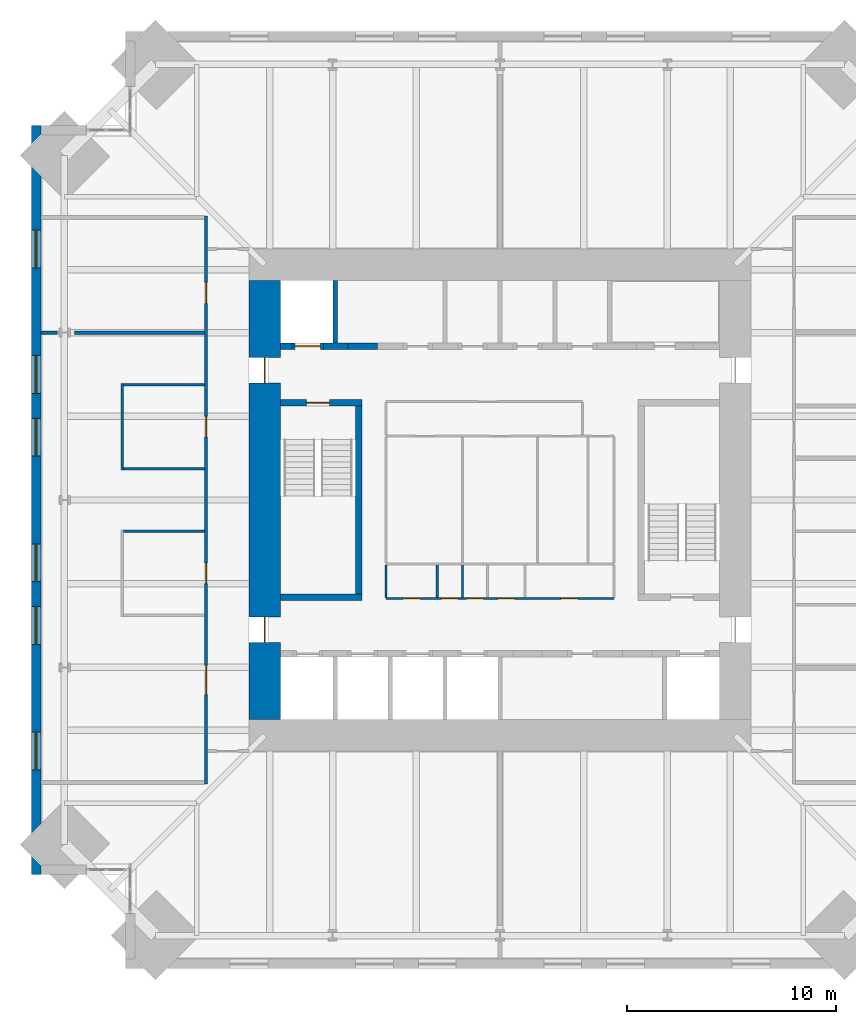
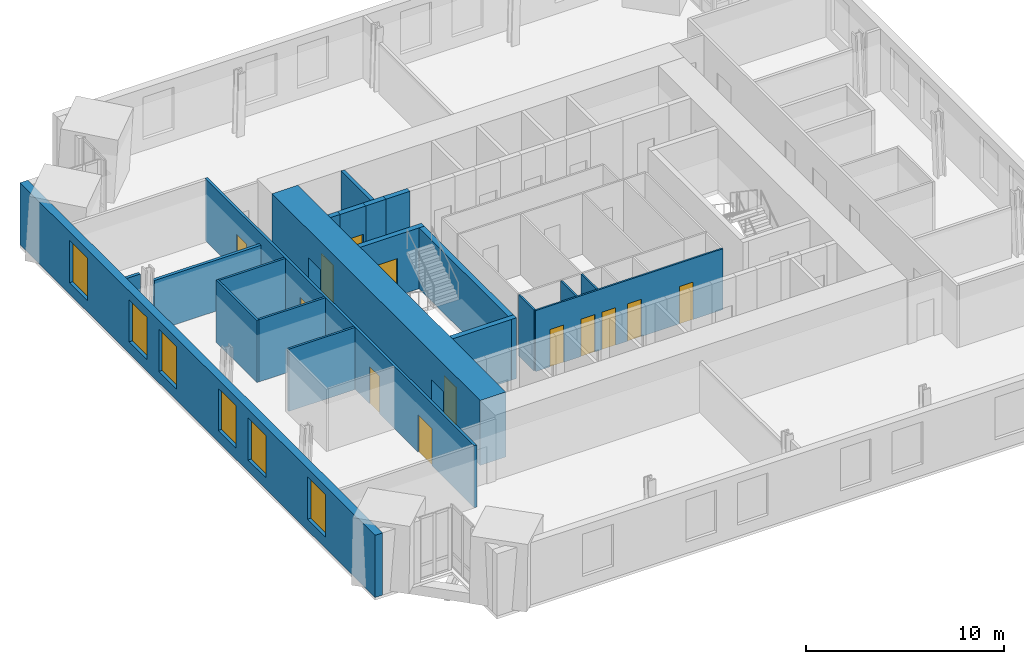
# One storey, part 14 of 18: 21 walls, 13 doors, 6 windows, 19 openings.
"""IFC4 building model written with IfcOpenShell, lengths in metres."""

from ifc_helpers import new_model, si_unit, direction, frame, frame_2d, origin, place, context, subcontext, project, spatial, rectangle, extrude, material, layer, layer_set, type_object, element, fill, save


model = new_model("IFC4")

# Units and contexts
model_context = context("Model", 3, precision=1e-05, world=origin(), true_north=direction((0.0, 1.0)))
body_context = subcontext(model_context, "Body", "Model", "MODEL_VIEW")
ifc_project = project(units=[si_unit("LENGTHUNIT", "METRE"), si_unit("AREAUNIT", "SQUARE_METRE"), si_unit("VOLUMEUNIT", "CUBIC_METRE"), si_unit("PLANEANGLEUNIT", "RADIAN"), si_unit("MASSUNIT", "GRAM", prefix="KILO")], contexts=[model_context])

# Site, building, storey
site_placement = place(None, origin())
site = spatial("IfcSite", under=ifc_project, at=site_placement, CompositionType="ELEMENT")
building_placement = place(site_placement, origin())
building = spatial("IfcBuilding", under=site, at=building_placement, Name="Peilmerk Tower", CompositionType="ELEMENT")
storey_placement = place(building_placement, frame((0.0, 0.0, 249.800048828125)))
storey = spatial("IfcBuildingStorey", under=building, at=storey_placement, Name="L55", CompositionType="ELEMENT", Elevation=249.800048828125)

# Wall, openings, windows
ifc_material_1 = material(Name="Precast concrete C45/55, board-marked finish", Category="concrete")
ifc_layer_1 = layer(ifc_material_1, 0.449951171875)
ifc_layer_set_1 = layer_set([ifc_layer_1], Name="Precast concrete C45/55, board-marked finish")
wall_type_1 = type_object("IfcWallType", Name="EW1 450 precast concrete facade wall, board-marked", PredefinedType="SOLIDWALL", material=ifc_layer_set_1)
wall_1_placement = place(storey_placement, frame((-22.175048828125, 17.89990234375, 0.0), z_axis=(0.0, 0.0, 1.0), x_axis=(0.0, -1.0, 0.0)))
wall_1 = element("IfcWall", 1, at=wall_1_placement, inside=storey, type_object=wall_type_1, Name="Facade wall W L55", PredefinedType="SOLIDWALL", context=body_context, shape_type="SweptSolid", body=[
    extrude(rectangle(XDim=35.7998046875, YDim=0.449951171875, at=frame_2d((17.89990234375, 0.0))), origin(), (0.0, 0.0, 1.0), 3.829833984375),
])
opening_1_placement = place(wall_1_placement, frame((5.0, 0.0, 0.699951171875)))
opening_1 = element("IfcOpeningElement", 2, at=opening_1_placement, cuts=wall_1, Name="Opening W1", PredefinedType="OPENING", context=body_context, shape_type="SweptSolid", body=[
    extrude(rectangle(XDim=1.800048828125, YDim=2.60009765625, at=frame_2d((0.89990234375, 1.300048828125))), frame((0.0, 0.23486328125, 0.0), z_axis=(0.0, -1.0, 0.0), x_axis=(1.0, 0.0, 0.0)), (0.0, 0.0, 1.0), 0.469970703125),
])
opening_2_placement = place(wall_1_placement, frame((11.0, 0.0, 0.699951171875)))
opening_2 = element("IfcOpeningElement", 3, at=opening_2_placement, cuts=wall_1, Name="Opening W1", PredefinedType="OPENING", context=body_context, shape_type="SweptSolid", body=[
    extrude(rectangle(XDim=1.800048828125, YDim=2.60009765625, at=frame_2d((0.89990234375, 1.300048828125))), frame((0.0, 0.23486328125, 0.0), z_axis=(0.0, -1.0, 0.0), x_axis=(1.0, 0.0, 0.0)), (0.0, 0.0, 1.0), 0.469970703125),
])
opening_3_placement = place(wall_1_placement, frame((14.0, 0.0, 0.699951171875)))
opening_3 = element("IfcOpeningElement", 4, at=opening_3_placement, cuts=wall_1, Name="Opening W1", PredefinedType="OPENING", context=body_context, shape_type="SweptSolid", body=[
    extrude(rectangle(XDim=1.800048828125, YDim=2.60009765625, at=frame_2d((0.89990234375, 1.300048828125))), frame((0.0, 0.23486328125, 0.0), z_axis=(0.0, -1.0, 0.0), x_axis=(1.0, 0.0, 0.0)), (0.0, 0.0, 1.0), 0.469970703125),
])
opening_4_placement = place(wall_1_placement, frame((20.0, 0.0, 0.699951171875)))
opening_4 = element("IfcOpeningElement", 5, at=opening_4_placement, cuts=wall_1, Name="Opening W1", PredefinedType="OPENING", context=body_context, shape_type="SweptSolid", body=[
    extrude(rectangle(XDim=1.800048828125, YDim=2.60009765625, at=frame_2d((0.89990234375, 1.300048828125))), frame((0.0, 0.23486328125, 0.0), z_axis=(0.0, -1.0, 0.0), x_axis=(1.0, 0.0, 0.0)), (0.0, 0.0, 1.0), 0.469970703125),
])
opening_5_placement = place(wall_1_placement, frame((23.0, 0.0, 0.699951171875)))
opening_5 = element("IfcOpeningElement", 6, at=opening_5_placement, cuts=wall_1, Name="Opening W1", PredefinedType="OPENING", context=body_context, shape_type="SweptSolid", body=[
    extrude(rectangle(XDim=1.800048828125, YDim=2.60009765625, at=frame_2d((0.89990234375, 1.300048828125))), frame((0.0, 0.23486328125, 0.0), z_axis=(0.0, -1.0, 0.0), x_axis=(1.0, 0.0, 0.0)), (0.0, 0.0, 1.0), 0.469970703125),
])
opening_6_placement = place(wall_1_placement, frame((29.0, 0.0, 0.699951171875)))
opening_6 = element("IfcOpeningElement", 7, at=opening_6_placement, cuts=wall_1, Name="Opening W1", PredefinedType="OPENING", context=body_context, shape_type="SweptSolid", body=[
    extrude(rectangle(XDim=1.800048828125, YDim=2.60009765625, at=frame_2d((0.89990234375, 1.300048828125))), frame((0.0, 0.23486328125, 0.0), z_axis=(0.0, -1.0, 0.0), x_axis=(1.0, 0.0, 0.0)), (0.0, 0.0, 1.0), 0.469970703125),
])
ifc_material_2 = material(Name="Aluminium frame, clear double glazing", Category="aluminium")
window_type = type_object("IfcWindowType", Name="W1 1800x2600 office window", PartitioningType="SINGLE_PANEL", PredefinedType="WINDOW", material=ifc_material_2)
window_1_placement = place(opening_1_placement, origin())
window_1 = element("IfcWindow", 8, at=window_1_placement, inside=storey, type_object=window_type, Name="Window W1 L55", OverallHeight=2.60009765625, OverallWidth=1.800048828125, PartitioningType="SINGLE_PANEL", PredefinedType="WINDOW", context=body_context, shape_type="SweptSolid", body=[
    extrude(rectangle(XDim=1.800048828125, YDim=2.60009765625, at=frame_2d((0.89990234375, 1.300048828125))), frame((0.0, 0.030029296875, 0.0), z_axis=(0.0, -1.0, 0.0), x_axis=(1.0, 0.0, 0.0)), (0.0, 0.0, 1.0), 0.06005859375),
])
fill(opening_1, window_1)
window_2_placement = place(opening_2_placement, origin())
window_2 = element("IfcWindow", 9, at=window_2_placement, inside=storey, type_object=window_type, Name="Window W1 L55", OverallHeight=2.60009765625, OverallWidth=1.800048828125, PartitioningType="SINGLE_PANEL", PredefinedType="WINDOW", context=body_context, shape_type="SweptSolid", body=[
    extrude(rectangle(XDim=1.800048828125, YDim=2.60009765625, at=frame_2d((0.89990234375, 1.300048828125))), frame((0.0, 0.030029296875, 0.0), z_axis=(0.0, -1.0, 0.0), x_axis=(1.0, 0.0, 0.0)), (0.0, 0.0, 1.0), 0.06005859375),
])
fill(opening_2, window_2)
window_3_placement = place(opening_3_placement, origin())
window_3 = element("IfcWindow", 10, at=window_3_placement, inside=storey, type_object=window_type, Name="Window W1 L55", OverallHeight=2.60009765625, OverallWidth=1.800048828125, PartitioningType="SINGLE_PANEL", PredefinedType="WINDOW", context=body_context, shape_type="SweptSolid", body=[
    extrude(rectangle(XDim=1.800048828125, YDim=2.60009765625, at=frame_2d((0.89990234375, 1.300048828125))), frame((0.0, 0.030029296875, 0.0), z_axis=(0.0, -1.0, 0.0), x_axis=(1.0, 0.0, 0.0)), (0.0, 0.0, 1.0), 0.06005859375),
])
fill(opening_3, window_3)
window_4_placement = place(opening_4_placement, origin())
window_4 = element("IfcWindow", 11, at=window_4_placement, inside=storey, type_object=window_type, Name="Window W1 L55", OverallHeight=2.60009765625, OverallWidth=1.800048828125, PartitioningType="SINGLE_PANEL", PredefinedType="WINDOW", context=body_context, shape_type="SweptSolid", body=[
    extrude(rectangle(XDim=1.800048828125, YDim=2.60009765625, at=frame_2d((0.89990234375, 1.300048828125))), frame((0.0, 0.030029296875, 0.0), z_axis=(0.0, -1.0, 0.0), x_axis=(1.0, 0.0, 0.0)), (0.0, 0.0, 1.0), 0.06005859375),
])
fill(opening_4, window_4)
window_5_placement = place(opening_5_placement, origin())
window_5 = element("IfcWindow", 12, at=window_5_placement, inside=storey, type_object=window_type, Name="Window W1 L55", OverallHeight=2.60009765625, OverallWidth=1.800048828125, PartitioningType="SINGLE_PANEL", PredefinedType="WINDOW", context=body_context, shape_type="SweptSolid", body=[
    extrude(rectangle(XDim=1.800048828125, YDim=2.60009765625, at=frame_2d((0.89990234375, 1.300048828125))), frame((0.0, 0.030029296875, 0.0), z_axis=(0.0, -1.0, 0.0), x_axis=(1.0, 0.0, 0.0)), (0.0, 0.0, 1.0), 0.06005859375),
])
fill(opening_5, window_5)
window_6_placement = place(opening_6_placement, origin())
window_6 = element("IfcWindow", 13, at=window_6_placement, inside=storey, type_object=window_type, Name="Window W1 L55", OverallHeight=2.60009765625, OverallWidth=1.800048828125, PartitioningType="SINGLE_PANEL", PredefinedType="WINDOW", context=body_context, shape_type="SweptSolid", body=[
    extrude(rectangle(XDim=1.800048828125, YDim=2.60009765625, at=frame_2d((0.89990234375, 1.300048828125))), frame((0.0, 0.030029296875, 0.0), z_axis=(0.0, -1.0, 0.0), x_axis=(1.0, 0.0, 0.0)), (0.0, 0.0, 1.0), 0.06005859375),
])
fill(opening_6, window_6)

# Wall, openings, doors
ifc_material_3 = material(Name="Calcium silicate block", Category="masonry")
ifc_layer_2 = layer(ifc_material_3, 0.14990234375)
ifc_layer_set_2 = layer_set([ifc_layer_2], Name="Calcium silicate block")
wall_type_2 = type_object("IfcWallType", Name="IW1 150 corridor partition, EI 60", PredefinedType="PARTITIONING", material=ifc_layer_set_2)
wall_2_placement = place(storey_placement, frame((-14.050048828125, 13.574951171875, 0.0), z_axis=(0.0, 0.0, 1.0), x_axis=(0.0, -1.0, 0.0)))
wall_2 = element("IfcWall", 14, at=wall_2_placement, inside=storey, type_object=wall_type_2, Name="Corridor wall W L55", PredefinedType="PARTITIONING", context=body_context, shape_type="SweptSolid", body=[
    extrude(rectangle(XDim=27.14990234375, YDim=0.14990234375, at=frame_2d((13.574951171875, 0.0))), origin(), (0.0, 0.0, 1.0), 3.829833984375),
])
opening_7_placement = place(wall_2_placement, frame((21.47509765625, 0.0, 0.0)))
opening_7 = element("IfcOpeningElement", 15, at=opening_7_placement, cuts=wall_2, Name="Opening D8", PredefinedType="OPENING", context=body_context, shape_type="SweptSolid", body=[
    extrude(rectangle(XDim=1.39990234375, YDim=2.300048828125, at=frame_2d((0.699951171875, 1.14990234375))), frame((0.0, 0.0849609375, 0.0), z_axis=(0.0, -1.0, 0.0), x_axis=(1.0, 0.0, 0.0)), (0.0, 0.0, 1.0), 0.169921875),
])
opening_8_placement = place(wall_2_placement, frame((3.175048828125, 0.0, 0.0)))
opening_8 = element("IfcOpeningElement", 16, at=opening_8_placement, cuts=wall_2, Name="Opening D1", PredefinedType="OPENING", context=body_context, shape_type="SweptSolid", body=[
    extrude(rectangle(XDim=1.0, YDim=2.300048828125, at=frame_2d((0.5, 1.14990234375))), frame((0.0, 0.0849609375, 0.0), z_axis=(0.0, -1.0, 0.0), x_axis=(1.0, 0.0, 0.0)), (0.0, 0.0, 1.0), 0.169921875),
])
opening_9_placement = place(wall_2_placement, frame((16.574951171875, 0.0, 0.0)))
opening_9 = element("IfcOpeningElement", 17, at=opening_9_placement, cuts=wall_2, Name="Opening D1", PredefinedType="OPENING", context=body_context, shape_type="SweptSolid", body=[
    extrude(rectangle(XDim=1.0, YDim=2.300048828125, at=frame_2d((0.5, 1.14990234375))), frame((0.0, 0.0849609375, 0.0), z_axis=(0.0, -1.0, 0.0), x_axis=(1.0, 0.0, 0.0)), (0.0, 0.0, 1.0), 0.169921875),
])
opening_10_placement = place(wall_2_placement, frame((9.574951171875, 0.0, 0.0)))
opening_10 = element("IfcOpeningElement", 18, at=opening_10_placement, cuts=wall_2, Name="Opening D1", PredefinedType="OPENING", context=body_context, shape_type="SweptSolid", body=[
    extrude(rectangle(XDim=1.0, YDim=2.300048828125, at=frame_2d((0.5, 1.14990234375))), frame((0.0, 0.0849609375, 0.0), z_axis=(0.0, -1.0, 0.0), x_axis=(1.0, 0.0, 0.0)), (0.0, 0.0, 1.0), 0.169921875),
])
ifc_material_4 = material(Name="Timber door in steel frame", Category="steel")
door_type_1 = type_object("IfcDoorType", Name="D1 1000x2300 room door, EI2 30", OperationType="SINGLE_SWING_LEFT", PredefinedType="DOOR", material=ifc_material_4)
door_1_placement = place(opening_8_placement, frame((1.0, 0.0, 0.0), z_axis=(0.0, 0.0, 1.0), x_axis=(-1.0, 0.0, 0.0)))
door_1 = element("IfcDoor", 19, at=door_1_placement, inside=storey, type_object=door_type_1, Name="Door Office L55", OperationType="SINGLE_SWING_LEFT", OverallHeight=2.300048828125, OverallWidth=1.0, PredefinedType="DOOR", context=body_context, shape_type="SweptSolid", body=[
    extrude(rectangle(XDim=1.0, YDim=2.300048828125, at=frame_2d((0.5, 1.14990234375))), frame((0.0, 0.02490234375, 0.0), z_axis=(0.0, -1.0, 0.0), x_axis=(1.0, 0.0, 0.0)), (0.0, 0.0, 1.0), 0.050048828125),
])
fill(opening_8, door_1)
door_2_placement = place(opening_9_placement, frame((1.0, 0.0, 0.0), z_axis=(0.0, 0.0, 1.0), x_axis=(-1.0, 0.0, 0.0)))
door_2 = element("IfcDoor", 20, at=door_2_placement, inside=storey, type_object=door_type_1, Name="Door Meeting room L55", OperationType="SINGLE_SWING_LEFT", OverallHeight=2.300048828125, OverallWidth=1.0, PredefinedType="DOOR", context=body_context, shape_type="SweptSolid", body=[
    extrude(rectangle(XDim=1.0, YDim=2.300048828125, at=frame_2d((0.5, 1.14990234375))), frame((0.0, 0.02490234375, 0.0), z_axis=(0.0, -1.0, 0.0), x_axis=(1.0, 0.0, 0.0)), (0.0, 0.0, 1.0), 0.050048828125),
])
fill(opening_9, door_2)
door_3_placement = place(opening_10_placement, frame((1.0, 0.0, 0.0), z_axis=(0.0, 0.0, 1.0), x_axis=(-1.0, 0.0, 0.0)))
door_3 = element("IfcDoor", 21, at=door_3_placement, inside=storey, type_object=door_type_1, Name="Door Meeting room L55", OperationType="SINGLE_SWING_LEFT", OverallHeight=2.300048828125, OverallWidth=1.0, PredefinedType="DOOR", context=body_context, shape_type="SweptSolid", body=[
    extrude(rectangle(XDim=1.0, YDim=2.300048828125, at=frame_2d((0.5, 1.14990234375))), frame((0.0, 0.02490234375, 0.0), z_axis=(0.0, -1.0, 0.0), x_axis=(1.0, 0.0, 0.0)), (0.0, 0.0, 1.0), 0.050048828125),
])
fill(opening_10, door_3)
door_type_2 = type_object("IfcDoorType", Name="D8 1400x2300 leaf-and-a-half door, EI2 30", OperationType="DOUBLE_DOOR_SINGLE_SWING", PredefinedType="DOOR", material=ifc_material_4)
door_4_placement = place(opening_7_placement, frame((1.39990234375, 0.0, 0.0), z_axis=(0.0, 0.0, 1.0), x_axis=(-1.0, 0.0, 0.0)))
door_4 = element("IfcDoor", 22, at=door_4_placement, inside=storey, type_object=door_type_2, Name="Door Tenant suite L55", OperationType="DOUBLE_DOOR_SINGLE_SWING", OverallHeight=2.300048828125, OverallWidth=1.39990234375, PredefinedType="DOOR", context=body_context, shape_type="SweptSolid", body=[
    extrude(rectangle(XDim=1.39990234375, YDim=2.300048828125, at=frame_2d((0.699951171875, 1.14990234375))), frame((0.0, 0.02490234375, 0.0), z_axis=(0.0, -1.0, 0.0), x_axis=(1.0, 0.0, 0.0)), (0.0, 0.0, 1.0), 0.050048828125),
])
fill(opening_7, door_4)

# Wall
ifc_material_5 = material(Name="Concrete C35/45", Category="concrete")
ifc_layer_3 = layer(ifc_material_5, 0.300048828125)
ifc_layer_set_3 = layer_set([ifc_layer_3], Name="Concrete C35/45")
wall_type_3 = type_object("IfcWallType", Name="IW3 300 concrete stair enclosure wall, EI 120", PredefinedType="SOLIDWALL", material=ifc_layer_set_3)
wall_3_placement = place(storey_placement, frame((-6.75, -4.800048828125, 0.0), z_axis=(0.0, 0.0, 1.0), x_axis=(0.0, 1.0, 0.0)))
element("IfcWall", 23, at=wall_3_placement, inside=storey, type_object=wall_type_3, Name="Stair 1 enclosure L55", PredefinedType="SOLIDWALL", context=body_context, shape_type="SweptSolid", body=[
    extrude(rectangle(XDim=9.60009765625, YDim=0.300048828125, at=frame_2d((4.800048828125, 0.0))), origin(), (0.0, 0.0, 1.0), 3.75),
])

# Wall, opening, door
wall_4_placement = place(storey_placement, frame((-10.5, 4.64990234375, 0.0), z_axis=(0.0, 0.0, 1.0), x_axis=(1.0, 0.0, 0.0)))
wall_4 = element("IfcWall", 24, at=wall_4_placement, inside=storey, type_object=wall_type_3, Name="Stair 1 enclosure L55", PredefinedType="SOLIDWALL", context=body_context, shape_type="SweptSolid", body=[
    extrude(rectangle(XDim=3.89990234375, YDim=0.300048828125, at=frame_2d((1.949951171875, 0.0))), origin(), (0.0, 0.0, 1.0), 3.75),
])
opening_11_placement = place(wall_4_placement, frame((1.25, 0.0, 0.0)))
opening_11 = element("IfcOpeningElement", 25, at=opening_11_placement, cuts=wall_4, Name="Opening D4", PredefinedType="OPENING", context=body_context, shape_type="SweptSolid", body=[
    extrude(rectangle(XDim=1.10009765625, YDim=2.300048828125, at=frame_2d((0.550048828125, 1.14990234375))), frame((0.0, 0.159912109375, 0.0), z_axis=(0.0, -1.0, 0.0), x_axis=(1.0, 0.0, 0.0)), (0.0, 0.0, 1.0), 0.320068359375),
])
ifc_material_6 = material(Name="Steel door in steel frame", Category="steel")
door_type_3 = type_object("IfcDoorType", Name="D4 1100x2300 stair door, EI2 60", OperationType="SINGLE_SWING_RIGHT", PredefinedType="DOOR", material=ifc_material_6)
door_5_placement = place(opening_11_placement, frame((1.10009765625, 0.0, 0.0), z_axis=(0.0, 0.0, 1.0), x_axis=(-1.0, 0.0, 0.0)))
door_5 = element("IfcDoor", 26, at=door_5_placement, inside=storey, type_object=door_type_3, Name="Stair 1 door L55", OperationType="SINGLE_SWING_RIGHT", OverallHeight=2.300048828125, OverallWidth=1.10009765625, PredefinedType="DOOR", context=body_context, shape_type="SweptSolid", body=[
    extrude(rectangle(XDim=1.10009765625, YDim=2.300048828125, at=frame_2d((0.550048828125, 1.14990234375))), frame((0.0, 0.02490234375, 0.0), z_axis=(0.0, -1.0, 0.0), x_axis=(1.0, 0.0, 0.0)), (0.0, 0.0, 1.0), 0.050048828125),
])
fill(opening_11, door_5)

# Wall
wall_5_placement = place(storey_placement, frame((-6.60009765625, -4.64990234375, 0.0), z_axis=(0.0, 0.0, 1.0), x_axis=(-1.0, 0.0, 0.0)))
element("IfcWall", 27, at=wall_5_placement, inside=storey, type_object=wall_type_3, Name="Stair 1 enclosure L55", PredefinedType="SOLIDWALL", context=body_context, shape_type="SweptSolid", body=[
    extrude(rectangle(XDim=3.89990234375, YDim=0.300048828125, at=frame_2d((1.949951171875, 0.0))), origin(), (0.0, 0.0, 1.0), 3.75),
])

# Wall, openings, doors
ifc_material_7 = material(Name="Calcium silicate board on steel studs", Category="steel")
ifc_layer_4 = layer(ifc_material_7, 0.10009765625)
ifc_layer_set_4 = layer_set([ifc_layer_4], Name="Calcium silicate board on steel studs")
wall_type_4 = type_object("IfcWallType", Name="IW5 100 riser enclosure wall, EI 60", PredefinedType="PARTITIONING", material=ifc_layer_set_4)
wall_6_placement = place(storey_placement, frame((5.449951171875, -4.699951171875, 0.0), z_axis=(0.0, 0.0, 1.0), x_axis=(-1.0, 0.0, 0.0)))
wall_6 = element("IfcWall", 28, at=wall_6_placement, inside=storey, type_object=wall_type_4, Name="Riser wall L55", PredefinedType="PARTITIONING", context=body_context, shape_type="SweptSolid", body=[
    extrude(rectangle(XDim=10.89990234375, YDim=0.10009765625, at=frame_2d((5.449951171875, 0.0))), origin(), (0.0, 0.0, 1.0), 3.75),
])
opening_12_placement = place(wall_6_placement, frame((9.27490234375, 0.0, 0.0)))
opening_12 = element("IfcOpeningElement", 29, at=opening_12_placement, cuts=wall_6, Name="Opening D7", PredefinedType="OPENING", context=body_context, shape_type="SweptSolid", body=[
    extrude(rectangle(XDim=0.800048828125, YDim=2.300048828125, at=frame_2d((0.39990234375, 1.14990234375))), frame((0.0, 0.06005859375, 0.0), z_axis=(0.0, -1.0, 0.0), x_axis=(1.0, 0.0, 0.0)), (0.0, 0.0, 1.0), 0.1201171875),
])
opening_13_placement = place(wall_6_placement, frame((7.449951171875, 0.0, 0.0)))
opening_13 = element("IfcOpeningElement", 30, at=opening_13_placement, cuts=wall_6, Name="Opening D7", PredefinedType="OPENING", context=body_context, shape_type="SweptSolid", body=[
    extrude(rectangle(XDim=0.800048828125, YDim=2.300048828125, at=frame_2d((0.39990234375, 1.14990234375))), frame((0.0, 0.06005859375, 0.0), z_axis=(0.0, -1.0, 0.0), x_axis=(1.0, 0.0, 0.0)), (0.0, 0.0, 1.0), 0.1201171875),
])
opening_14_placement = place(wall_6_placement, frame((6.25, 0.0, 0.0)))
opening_14 = element("IfcOpeningElement", 31, at=opening_14_placement, cuts=wall_6, Name="Opening D7", PredefinedType="OPENING", context=body_context, shape_type="SweptSolid", body=[
    extrude(rectangle(XDim=0.800048828125, YDim=2.300048828125, at=frame_2d((0.39990234375, 1.14990234375))), frame((0.0, 0.06005859375, 0.0), z_axis=(0.0, -1.0, 0.0), x_axis=(1.0, 0.0, 0.0)), (0.0, 0.0, 1.0), 0.1201171875),
])
opening_15_placement = place(wall_6_placement, frame((4.75, 0.0, 0.0)))
opening_15 = element("IfcOpeningElement", 32, at=opening_15_placement, cuts=wall_6, Name="Opening D7", PredefinedType="OPENING", context=body_context, shape_type="SweptSolid", body=[
    extrude(rectangle(XDim=0.800048828125, YDim=2.300048828125, at=frame_2d((0.39990234375, 1.14990234375))), frame((0.0, 0.06005859375, 0.0), z_axis=(0.0, -1.0, 0.0), x_axis=(1.0, 0.0, 0.0)), (0.0, 0.0, 1.0), 0.1201171875),
])
opening_16_placement = place(wall_6_placement, frame((1.72509765625, 0.0, 0.0)))
opening_16 = element("IfcOpeningElement", 33, at=opening_16_placement, cuts=wall_6, Name="Opening D7", PredefinedType="OPENING", context=body_context, shape_type="SweptSolid", body=[
    extrude(rectangle(XDim=0.800048828125, YDim=2.300048828125, at=frame_2d((0.39990234375, 1.14990234375))), frame((0.0, 0.06005859375, 0.0), z_axis=(0.0, -1.0, 0.0), x_axis=(1.0, 0.0, 0.0)), (0.0, 0.0, 1.0), 0.1201171875),
])
door_type_4 = type_object("IfcDoorType", Name="D7 800x2300 riser access door, EI2 60", OperationType="SINGLE_SWING_RIGHT", PredefinedType="DOOR", material=ifc_material_6)
door_6_placement = place(opening_12_placement, frame((0.800048828125, 0.0, 0.0), z_axis=(0.0, 0.0, 1.0), x_axis=(-1.0, 0.0, 0.0)))
door_6 = element("IfcDoor", 34, at=door_6_placement, inside=storey, type_object=door_type_4, Name="Electrical room door L55", OperationType="SINGLE_SWING_RIGHT", OverallHeight=2.300048828125, OverallWidth=0.800048828125, PredefinedType="DOOR", context=body_context, shape_type="SweptSolid", body=[
    extrude(rectangle(XDim=0.800048828125, YDim=2.300048828125, at=frame_2d((0.39990234375, 1.14990234375))), frame((0.0, 0.02490234375, 0.0), z_axis=(0.0, -1.0, 0.0), x_axis=(1.0, 0.0, 0.0)), (0.0, 0.0, 1.0), 0.050048828125),
])
fill(opening_12, door_6)
door_7_placement = place(opening_13_placement, frame((0.800048828125, 0.0, 0.0), z_axis=(0.0, 0.0, 1.0), x_axis=(-1.0, 0.0, 0.0)))
door_7 = element("IfcDoor", 35, at=door_7_placement, inside=storey, type_object=door_type_4, Name="Electrical riser door L55", OperationType="SINGLE_SWING_RIGHT", OverallHeight=2.300048828125, OverallWidth=0.800048828125, PredefinedType="DOOR", context=body_context, shape_type="SweptSolid", body=[
    extrude(rectangle(XDim=0.800048828125, YDim=2.300048828125, at=frame_2d((0.39990234375, 1.14990234375))), frame((0.0, 0.02490234375, 0.0), z_axis=(0.0, -1.0, 0.0), x_axis=(1.0, 0.0, 0.0)), (0.0, 0.0, 1.0), 0.050048828125),
])
fill(opening_13, door_7)
door_8_placement = place(opening_14_placement, frame((0.800048828125, 0.0, 0.0), z_axis=(0.0, 0.0, 1.0), x_axis=(-1.0, 0.0, 0.0)))
door_8 = element("IfcDoor", 36, at=door_8_placement, inside=storey, type_object=door_type_4, Name="Data riser door L55", OperationType="SINGLE_SWING_RIGHT", OverallHeight=2.300048828125, OverallWidth=0.800048828125, PredefinedType="DOOR", context=body_context, shape_type="SweptSolid", body=[
    extrude(rectangle(XDim=0.800048828125, YDim=2.300048828125, at=frame_2d((0.39990234375, 1.14990234375))), frame((0.0, 0.02490234375, 0.0), z_axis=(0.0, -1.0, 0.0), x_axis=(1.0, 0.0, 0.0)), (0.0, 0.0, 1.0), 0.050048828125),
])
fill(opening_14, door_8)
door_9_placement = place(opening_15_placement, frame((0.800048828125, 0.0, 0.0), z_axis=(0.0, 0.0, 1.0), x_axis=(-1.0, 0.0, 0.0)))
door_9 = element("IfcDoor", 37, at=door_9_placement, inside=storey, type_object=door_type_4, Name="Cleaner's cupboard door L55", OperationType="SINGLE_SWING_RIGHT", OverallHeight=2.300048828125, OverallWidth=0.800048828125, PredefinedType="DOOR", context=body_context, shape_type="SweptSolid", body=[
    extrude(rectangle(XDim=0.800048828125, YDim=2.300048828125, at=frame_2d((0.39990234375, 1.14990234375))), frame((0.0, 0.02490234375, 0.0), z_axis=(0.0, -1.0, 0.0), x_axis=(1.0, 0.0, 0.0)), (0.0, 0.0, 1.0), 0.050048828125),
])
fill(opening_15, door_9)
door_10_placement = place(opening_16_placement, frame((0.800048828125, 0.0, 0.0), z_axis=(0.0, 0.0, 1.0), x_axis=(-1.0, 0.0, 0.0)))
door_10 = element("IfcDoor", 38, at=door_10_placement, inside=storey, type_object=door_type_4, Name="Comms room door L55", OperationType="SINGLE_SWING_RIGHT", OverallHeight=2.300048828125, OverallWidth=0.800048828125, PredefinedType="DOOR", context=body_context, shape_type="SweptSolid", body=[
    extrude(rectangle(XDim=0.800048828125, YDim=2.300048828125, at=frame_2d((0.39990234375, 1.14990234375))), frame((0.0, 0.02490234375, 0.0), z_axis=(0.0, -1.0, 0.0), x_axis=(1.0, 0.0, 0.0)), (0.0, 0.0, 1.0), 0.050048828125),
])
fill(opening_16, door_10)

# Walls
for number, where, z_axis, x_axis, name in (
    (39, (-5.449951171875, -3.10009765625, 0.0), (0.0, 0.0, 1.0), (0.0, -1.0, 0.0), "Riser wall L55"),
    (40, (-3.0, -3.10009765625, 0.0), (0.0, 0.0, 1.0), (0.0, -1.0, 0.0), "Riser wall L55"),
    (41, (-1.800048828125, -3.10009765625, 0.0), (0.0, 0.0, 1.0), (0.0, -1.0, 0.0), "Riser wall L55"),
):
    element("IfcWall", number, at=place(storey_placement, frame(where, z_axis=z_axis, x_axis=x_axis)), inside=storey, type_object=wall_type_4, Name=name, PredefinedType="PARTITIONING", context=body_context, shape_type="SweptSolid", body=[
        extrude(rectangle(XDim=1.5498046875, YDim=0.10009765625, at=frame_2d((0.77490234375, 0.0))), origin(), (0.0, 0.0, 1.0), 3.75),
    ])
ifc_material_8 = material(Name="Plasterboard on steel studs, double boarded with mineral wool", Category="steel")
ifc_layer_5 = layer(ifc_material_8, 0.125)
ifc_layer_set_5 = layer_set([ifc_layer_5], Name="Plasterboard on steel studs, double boarded with mineral wool")
wall_type_5 = type_object("IfcWallType", Name="IW7 125 acoustic partition, EI 30", PredefinedType="PARTITIONING", material=ifc_layer_set_5)
wall_7_placement = place(storey_placement, frame((-14.125, -1.5, 0.0), z_axis=(0.0, 0.0, 1.0), x_axis=(-1.0, 0.0, 0.0)))
element("IfcWall", 42, at=wall_7_placement, inside=storey, type_object=wall_type_5, Name="Acoustic partition Meeting room L55", PredefinedType="PARTITIONING", context=body_context, shape_type="SweptSolid", body=[
    extrude(rectangle(XDim=3.862548828125, YDim=0.125, at=frame_2d((1.93115234375, 0.0))), origin(), (0.0, 0.0, 1.0), 3.829833984375),
])
wall_8_placement = place(storey_placement, frame((-18.050048828125, 1.4375, 0.0), z_axis=(0.0, 0.0, 1.0), x_axis=(0.0, 1.0, 0.0)))
element("IfcWall", 43, at=wall_8_placement, inside=storey, type_object=wall_type_5, Name="Acoustic partition Meeting room L55", PredefinedType="PARTITIONING", context=body_context, shape_type="SweptSolid", body=[
    extrude(rectangle(XDim=4.125, YDim=0.125, at=frame_2d((2.0625, 0.0))), origin(), (0.0, 0.0, 1.0), 3.829833984375),
])
for number, where, z_axis, x_axis, name in (
    (44, (-14.125, 1.5, 0.0), (0.0, 0.0, 1.0), (-1.0, 0.0, 0.0), "Acoustic partition Meeting room L55"),
    (45, (-14.125, 5.5, 0.0), (0.0, 0.0, 1.0), (-1.0, 0.0, 0.0), "Acoustic partition Meeting room L55"),
):
    element("IfcWall", number, at=place(storey_placement, frame(where, z_axis=z_axis, x_axis=x_axis)), inside=storey, type_object=wall_type_5, Name=name, PredefinedType="PARTITIONING", context=body_context, shape_type="SweptSolid", body=[
        extrude(rectangle(XDim=3.862548828125, YDim=0.125, at=frame_2d((1.93115234375, 0.0))), origin(), (0.0, 0.0, 1.0), 3.829833984375),
    ])
ifc_layer_6 = layer(ifc_material_3, 0.175048828125)
ifc_layer_set_6 = layer_set([ifc_layer_6], Name="Calcium silicate block")
wall_type_6 = type_object("IfcWallType", Name="IW8 175 tenant separating wall, EI 60", PredefinedType="PARTITIONING", material=ifc_layer_set_6)
wall_9_placement = place(storey_placement, frame((-14.125, 8.0, 0.0), z_axis=(0.0, 0.0, 1.0), x_axis=(-1.0, 0.0, 0.0)))
element("IfcWall", 46, at=wall_9_placement, inside=storey, type_object=wall_type_6, Name="Tenant separating wall W1 L55", PredefinedType="PARTITIONING", context=body_context, shape_type="SweptSolid", body=[
    extrude(rectangle(XDim=6.208251953125, YDim=0.175048828125, at=frame_2d((3.10400390625, 0.0))), origin(), (0.0, 0.0, 1.0), 3.139892578125),
])
wall_10_placement = place(storey_placement, frame((-21.15380859375, 8.0, 0.0), z_axis=(0.0, 0.0, 1.0), x_axis=(-1.0, 0.0, 0.0)))
element("IfcWall", 47, at=wall_10_placement, inside=storey, type_object=wall_type_6, Name="Tenant separating wall W1b L55", PredefinedType="PARTITIONING", context=body_context, shape_type="SweptSolid", body=[
    extrude(rectangle(XDim=0.796142578125, YDim=0.175048828125, at=frame_2d((0.39794921875, 0.0))), origin(), (0.0, 0.0, 1.0), 3.829833984375),
])
ifc_layer_7 = layer(ifc_material_3, 0.199951171875)
ifc_layer_set_7 = layer_set([ifc_layer_7], Name="Calcium silicate block")
wall_type_7 = type_object("IfcWallType", Name="SH1 200 shaft dividing wall, EI 120", PredefinedType="PARTITIONING", material=ifc_layer_set_7)
wall_11_placement = place(storey_placement, frame((-7.875, 7.5, 0.0), z_axis=(0.0, 0.0, 1.0), x_axis=(0.0, 1.0, 0.0)))
element("IfcWall", 48, at=wall_11_placement, inside=storey, type_object=wall_type_7, Name="Shaft wall N FL1 L55", PredefinedType="PARTITIONING", context=body_context, shape_type="SweptSolid", body=[
    extrude(rectangle(XDim=3.0, YDim=0.199951171875, at=frame_2d((1.5, 0.0))), origin(), (0.0, 0.0, 1.0), 4.0),
])

# Wall, opening, door
ifc_layer_8 = layer(ifc_material_3, 0.300048828125)
ifc_layer_set_8 = layer_set([ifc_layer_8], Name="Calcium silicate block")
wall_type_8 = type_object("IfcWallType", Name="SH2 300 lift landing door panel, EI 120", PredefinedType="PARTITIONING", material=ifc_layer_set_8)
wall_12_placement = place(storey_placement, frame((-9.9375, 7.35009765625, 0.0), z_axis=(0.0, 0.0, 1.0), x_axis=(1.0, 0.0, 0.0)))
wall_12 = element("IfcWall", 49, at=wall_12_placement, inside=storey, type_object=wall_type_8, Name="Lift door panel N FL1 L55", PredefinedType="PARTITIONING", context=body_context, shape_type="SweptSolid", body=[
    extrude(rectangle(XDim=1.5, YDim=0.300048828125, at=frame_2d((0.75, 0.0))), origin(), (0.0, 0.0, 1.0), 4.0),
])
opening_17_placement = place(wall_12_placement, frame((0.14990234375, 0.0, 0.0)))
opening_17 = element("IfcOpeningElement", 50, at=opening_17_placement, cuts=wall_12, Name="Opening LD2", PredefinedType="OPENING", context=body_context, shape_type="SweptSolid", body=[
    extrude(rectangle(XDim=1.199951171875, YDim=2.300048828125, at=frame_2d((0.60009765625, 1.14990234375))), frame((0.0, 0.159912109375, 0.0), z_axis=(0.0, -1.0, 0.0), x_axis=(1.0, 0.0, 0.0)), (0.0, 0.0, 1.0), 0.320068359375),
])
ifc_material_9 = material(Name="Stainless steel landing door", Category="steel")
door_type_5 = type_object("IfcDoorType", Name="LD2 1200x2300 lift landing door, sliding, EI2 60", OperationType="SLIDING_TO_LEFT", PredefinedType="DOOR", material=ifc_material_9)
door_11_placement = place(opening_17_placement, frame((1.199951171875, 0.0, 0.0), z_axis=(0.0, 0.0, 1.0), x_axis=(-1.0, 0.0, 0.0)))
door_11 = element("IfcDoor", 51, at=door_11_placement, inside=storey, type_object=door_type_5, Name="Lift landing door FL1 L55", OperationType="SLIDING_TO_LEFT", OverallHeight=2.300048828125, OverallWidth=1.199951171875, PredefinedType="DOOR", context=body_context, shape_type="SweptSolid", body=[
    extrude(rectangle(XDim=1.199951171875, YDim=2.300048828125, at=frame_2d((0.60009765625, 1.14990234375))), frame((0.0, 0.02490234375, 0.0), z_axis=(0.0, -1.0, 0.0), x_axis=(1.0, 0.0, 0.0)), (0.0, 0.0, 1.0), 0.050048828125),
])
fill(opening_17, door_11)

# Wall
wall_13_placement = place(storey_placement, frame((-7.262451171875, 7.35009765625, 0.0), z_axis=(0.0, 0.0, 1.0), x_axis=(1.0, 0.0, 0.0)))
element("IfcWall", 52, at=wall_13_placement, inside=storey, type_object=wall_type_8, Name="Lift door panel N A1 L55", PredefinedType="PARTITIONING", context=body_context, shape_type="SweptSolid", body=[
    extrude(rectangle(XDim=1.39990234375, YDim=0.300048828125, at=frame_2d((0.699951171875, 0.0))), origin(), (0.0, 0.0, 1.0), 4.0),
])

# Wall, openings, doors
ifc_material_10 = material(Name="Concrete C55/67", Category="concrete")
ifc_layer_9 = layer(ifc_material_10, 1.5)
ifc_layer_set_9 = layer_set([ifc_layer_9], Name="Concrete C55/67")
wall_type_9 = type_object("IfcWallType", Name="SW1 1500 core wall", PredefinedType="SHEAR", material=ifc_layer_set_9)
wall_14_placement = place(storey_placement, frame((-11.25, -10.5, 0.0), z_axis=(0.0, 0.0, 1.0), x_axis=(0.0, 1.0, 0.0)))
wall_14 = element("IfcWall", 53, at=wall_14_placement, inside=storey, type_object=wall_type_9, Name="Core wall W L55", PredefinedType="SHEAR", context=body_context, shape_type="SweptSolid", body=[
    extrude(rectangle(XDim=21.0, YDim=1.5, at=frame_2d((10.5, 0.0))), origin(), (0.0, 0.0, 1.0), 4.0),
])
opening_18_placement = place(wall_14_placement, frame((16.10009765625, 0.0, 0.0)))
opening_18 = element("IfcOpeningElement", 54, at=opening_18_placement, cuts=wall_14, Name="Opening D3", PredefinedType="OPENING", context=body_context, shape_type="SweptSolid", body=[
    extrude(rectangle(XDim=1.199951171875, YDim=2.300048828125, at=frame_2d((0.60009765625, 1.14990234375))), frame((0.0, 0.760009765625, 0.0), z_axis=(0.0, -1.0, 0.0), x_axis=(1.0, 0.0, 0.0)), (0.0, 0.0, 1.0), 1.52001953125),
])
opening_19_placement = place(wall_14_placement, frame((3.699951171875, 0.0, 0.0)))
opening_19 = element("IfcOpeningElement", 55, at=opening_19_placement, cuts=wall_14, Name="Opening D3", PredefinedType="OPENING", context=body_context, shape_type="SweptSolid", body=[
    extrude(rectangle(XDim=1.199951171875, YDim=2.300048828125, at=frame_2d((0.60009765625, 1.14990234375))), frame((0.0, 0.760009765625, 0.0), z_axis=(0.0, -1.0, 0.0), x_axis=(1.0, 0.0, 0.0)), (0.0, 0.0, 1.0), 1.52001953125),
])
door_type_6 = type_object("IfcDoorType", Name="D3 1200x2300 core door, EI2 60", OperationType="SINGLE_SWING_LEFT", PredefinedType="DOOR", material=ifc_material_6)
door_12_placement = place(opening_18_placement, frame((1.199951171875, 0.0, 0.0), z_axis=(0.0, 0.0, 1.0), x_axis=(-1.0, 0.0, 0.0)))
door_12 = element("IfcDoor", 56, at=door_12_placement, inside=storey, type_object=door_type_6, Name="Core door L55", OperationType="SINGLE_SWING_LEFT", OverallHeight=2.300048828125, OverallWidth=1.199951171875, PredefinedType="DOOR", context=body_context, shape_type="SweptSolid", body=[
    extrude(rectangle(XDim=1.199951171875, YDim=2.300048828125, at=frame_2d((0.60009765625, 1.14990234375))), frame((0.0, 0.02490234375, 0.0), z_axis=(0.0, -1.0, 0.0), x_axis=(1.0, 0.0, 0.0)), (0.0, 0.0, 1.0), 0.050048828125),
])
fill(opening_18, door_12)
door_13_placement = place(opening_19_placement, frame((1.199951171875, 0.0, 0.0), z_axis=(0.0, 0.0, 1.0), x_axis=(-1.0, 0.0, 0.0)))
door_13 = element("IfcDoor", 57, at=door_13_placement, inside=storey, type_object=door_type_6, Name="Core door L55", OperationType="SINGLE_SWING_LEFT", OverallHeight=2.300048828125, OverallWidth=1.199951171875, PredefinedType="DOOR", context=body_context, shape_type="SweptSolid", body=[
    extrude(rectangle(XDim=1.199951171875, YDim=2.300048828125, at=frame_2d((0.60009765625, 1.14990234375))), frame((0.0, 0.02490234375, 0.0), z_axis=(0.0, -1.0, 0.0), x_axis=(1.0, 0.0, 0.0)), (0.0, 0.0, 1.0), 0.050048828125),
])
fill(opening_19, door_13)

# Walls
ifc_layer_10 = layer(ifc_material_10, 0.300048828125)
ifc_layer_set_10 = layer_set([ifc_layer_10], Name="Concrete C55/67")
wall_type_10 = type_object("IfcWallType", Name="SW2 300 lift bank pier", PredefinedType="SHEAR", material=ifc_layer_set_10)
wall_15_placement = place(storey_placement, frame((-10.5, 7.35009765625, 0.0), z_axis=(0.0, 0.0, 1.0), x_axis=(1.0, 0.0, 0.0)))
element("IfcWall", 58, at=wall_15_placement, inside=storey, type_object=wall_type_10, Name="Lift bank pier N L55", PredefinedType="SHEAR", context=body_context, shape_type="SweptSolid", body=[
    extrude(rectangle(XDim=0.5625, YDim=0.300048828125, at=frame_2d((0.28125, 0.0))), origin(), (0.0, 0.0, 1.0), 4.0),
])
wall_16_placement = place(storey_placement, frame((-8.4375, 7.35009765625, 0.0), z_axis=(0.0, 0.0, 1.0), x_axis=(1.0, 0.0, 0.0)))
element("IfcWall", 59, at=wall_16_placement, inside=storey, type_object=wall_type_10, Name="Lift bank pier N L55", PredefinedType="SHEAR", context=body_context, shape_type="SweptSolid", body=[
    extrude(rectangle(XDim=1.175048828125, YDim=0.300048828125, at=frame_2d((0.58740234375, 0.0))), origin(), (0.0, 0.0, 1.0), 4.0),
])

save(model, "model.ifc")
